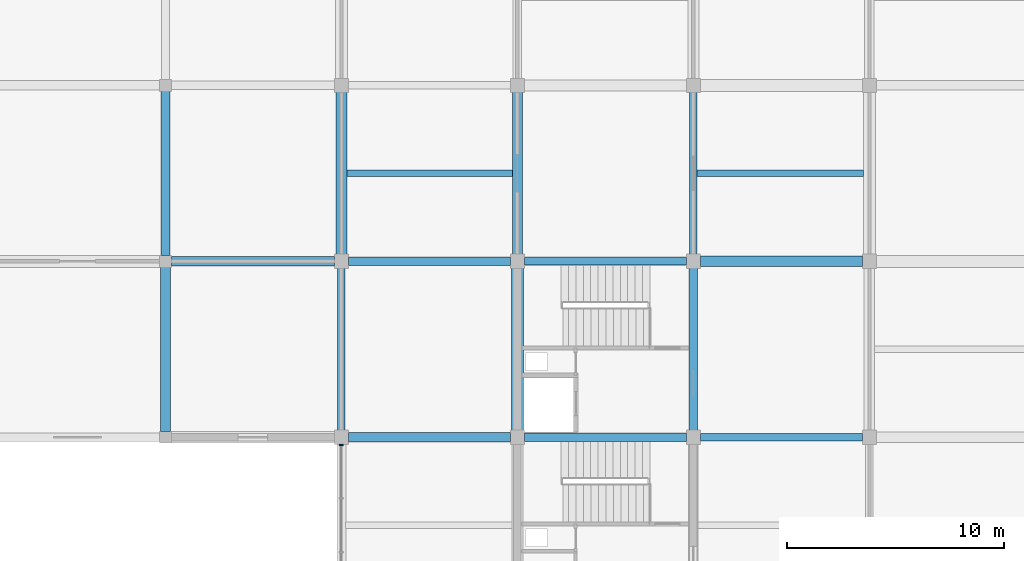
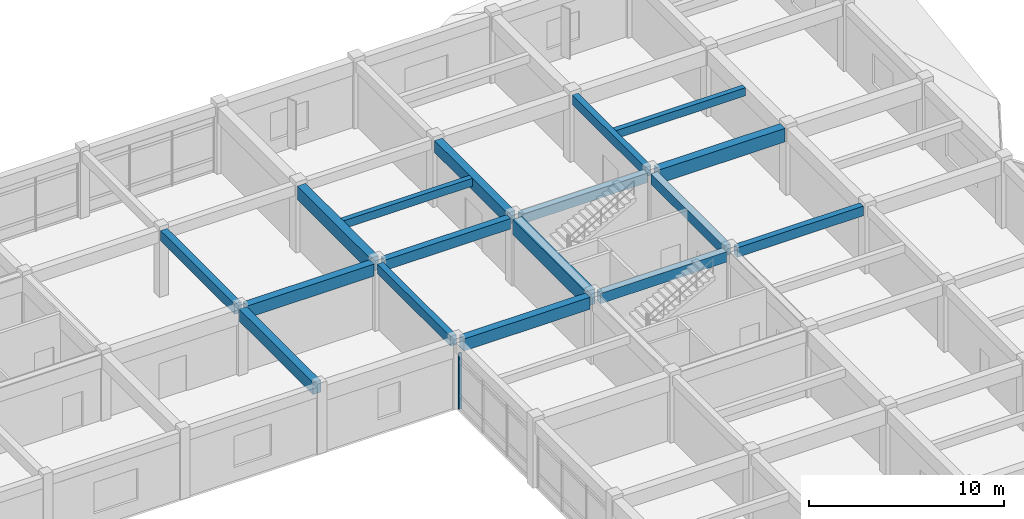
# One storey, part 18 of 40: 17 beams, 1 member, 1 element without a shape of its own.
"""IFC4 building model written with IfcOpenShell, lengths in metres."""

from ifc_helpers import new_model, si_unit, direction, frame, origin, origin_2d, place, context, subcontext, project, spatial, rectangle, extrude, material, layer, layer_set, material_profile, profile_set, type_object, element, aggregate, save


model = new_model("IFC4")

# Units and contexts
model_context = context("Model", 3, precision=1e-05, world=origin(), true_north=direction((0.0, 1.0)))
body_context = subcontext(model_context, "Body", "Model", "MODEL_VIEW")
ifc_project = project(units=[si_unit("LENGTHUNIT", "METRE"), si_unit("AREAUNIT", "SQUARE_METRE"), si_unit("VOLUMEUNIT", "CUBIC_METRE"), si_unit("PLANEANGLEUNIT", "RADIAN"), si_unit("MASSUNIT", "GRAM", prefix="KILO")], contexts=[model_context])

# Site, building, storey
site_placement = place(None, origin())
site = spatial("IfcSite", under=ifc_project, at=site_placement, CompositionType="ELEMENT")
building_placement = place(site_placement, origin())
building = spatial("IfcBuilding", under=site, at=building_placement, Name="Vaudrelin Polytechnic", CompositionType="ELEMENT")
storey_placement = place(building_placement, frame((0.0, 0.0, 22.949951171875)))
storey = spatial("IfcBuildingStorey", under=building, at=storey_placement, Name="L05", CompositionType="ELEMENT", Elevation=22.949951171875)

# Beams
ifc_material_1 = material(Name="Concrete 40 MPa", Category="concrete")
ifc_material_profile_1 = material_profile(ifc_material_1, rectangle(XDim=0.35009765625, YDim=0.60009765625, at=origin_2d()), Name="RC350x600")
ifc_profile_set_1 = profile_set([ifc_material_profile_1], Name="Concrete 40 MPa")
beam_type_1 = type_object("IfcBeamType", Name="BM-BM-RC3560", PredefinedType="BEAM", material=ifc_profile_set_1)
for number, where, z_axis, x_axis, name in (
    (1, (137.699951171875, 97.510009765625, 3.860107421875), (0.0, 1.0, 0.0), (-1.0, 0.0, 0.0), "L05 Y-beam 18-13"),
    (2, (153.89990234375, 105.610107421875, 3.860107421875), (0.0, 1.0, 0.0), (-1.0, 0.0, 0.0), "L05 Y-beam 20-14"),
):
    element("IfcBeam", number, at=place(storey_placement, frame(where, z_axis=z_axis, x_axis=x_axis)), inside=storey, type_object=beam_type_1, Name=name, PredefinedType="BEAM", context=body_context, shape_type="SweptSolid", body=[
        extrude(rectangle(XDim=0.35009765625, YDim=0.60009765625, at=origin_2d()), origin(), (0.0, 0.0, 1.0), 7.47998046875),
    ])
for number, where, z_axis, x_axis, name in (
    (3, (146.12109375, 105.300048828125, 3.860107421875), (1.0, 0.0, 0.0), (0.0, 1.0, 0.0), "L05 X-beam 19-14"),
    (4, (154.220947265625, 97.199951171875, 3.860107421875), (1.0, 0.0, 0.0), (0.0, 1.0, 0.0), "L05 X-beam 20-13"),
):
    element("IfcBeam", number, at=place(storey_placement, frame(where, z_axis=z_axis, x_axis=x_axis)), inside=storey, type_object=beam_type_1, Name=name, PredefinedType="BEAM", context=body_context, shape_type="SweptSolid", body=[
        extrude(rectangle(XDim=0.35009765625, YDim=0.60009765625, at=origin_2d()), origin(), (0.0, 0.0, 1.0), 7.4580078125),
    ])
ifc_material_profile_2 = material_profile(ifc_material_1, rectangle(XDim=0.39990234375, YDim=0.64990234375, at=origin_2d()), Name="RC400x650")
ifc_profile_set_2 = profile_set([ifc_material_profile_2], Name="Concrete 40 MPa")
beam_type_2 = type_object("IfcBeamType", Name="BM-BM-RC4065", PredefinedType="BEAM", material=ifc_profile_set_2)
beam_1_placement = place(storey_placement, frame((129.60009765625, 105.56005859375, 3.8349609375), z_axis=(0.0, 1.0, 0.0), x_axis=(-1.0, 0.0, 0.0)))
element("IfcBeam", 5, at=beam_1_placement, inside=storey, type_object=beam_type_2, Name="L05 Y-beam 17-14", PredefinedType="BEAM", context=body_context, shape_type="SweptSolid", body=[
    extrude(rectangle(XDim=0.39990234375, YDim=0.64990234375, at=origin_2d()), origin(), (0.0, 0.0, 1.0), 7.579833984375),
])
beam_2_placement = place(storey_placement, frame((153.89990234375, 97.510009765625, 3.8349609375), z_axis=(0.0, 1.0, 0.0), x_axis=(-1.0, 0.0, 0.0)))
element("IfcBeam", 6, at=beam_2_placement, inside=storey, type_object=beam_type_2, Name="L05 Y-beam 20-13", PredefinedType="BEAM", context=body_context, shape_type="SweptSolid", body=[
    extrude(rectangle(XDim=0.39990234375, YDim=0.64990234375, at=origin_2d()), origin(), (0.0, 0.0, 1.0), 7.47998046875),
])
for number, where, z_axis, x_axis, name in (
    (7, (138.02099609375, 105.300048828125, 3.8349609375), (1.0, 0.0, 0.0), (0.0, 1.0, 0.0), "L05 X-beam 18-14"),
    (8, (146.12109375, 97.199951171875, 3.8349609375), (1.0, 0.0, 0.0), (0.0, 1.0, 0.0), "L05 X-beam 19-13"),
):
    element("IfcBeam", number, at=place(storey_placement, frame(where, z_axis=z_axis, x_axis=x_axis)), inside=storey, type_object=beam_type_2, Name=name, PredefinedType="BEAM", context=body_context, shape_type="SweptSolid", body=[
        extrude(rectangle(XDim=0.39990234375, YDim=0.64990234375, at=origin_2d()), origin(), (0.0, 0.0, 1.0), 7.4580078125),
    ])
ifc_material_profile_3 = material_profile(ifc_material_1, rectangle(XDim=0.449951171875, YDim=0.75, at=origin_2d()), Name="RC450x750")
ifc_profile_set_3 = profile_set([ifc_material_profile_3], Name="Concrete 40 MPa")
beam_type_3 = type_object("IfcBeamType", Name="BM-BM-RC4575", PredefinedType="BEAM", material=ifc_profile_set_3)
beam_3_placement = place(storey_placement, frame((129.60009765625, 97.4599609375, 3.78515625), z_axis=(0.0, 1.0, 0.0), x_axis=(-1.0, 0.0, 0.0)))
element("IfcBeam", 9, at=beam_3_placement, inside=storey, type_object=beam_type_3, Name="L05 Y-beam 17-13", PredefinedType="BEAM", context=body_context, shape_type="SweptSolid", body=[
    extrude(rectangle(XDim=0.449951171875, YDim=0.75, at=origin_2d()), origin(), (0.0, 0.0, 1.0), 7.580078125),
])
beam_4_placement = place(storey_placement, frame((145.800048828125, 105.610107421875, 3.78515625), z_axis=(0.0, 1.0, 0.0), x_axis=(-1.0, 0.0, 0.0)))
element("IfcBeam", 10, at=beam_4_placement, inside=storey, type_object=beam_type_3, Name="L05 Y-beam 19-14", PredefinedType="BEAM", context=body_context, shape_type="SweptSolid", body=[
    extrude(rectangle(XDim=0.449951171875, YDim=0.75, at=origin_2d()), origin(), (0.0, 0.0, 1.0), 7.47998046875),
])
beam_5_placement = place(storey_placement, frame((129.87109375, 105.300048828125, 3.78515625), z_axis=(1.0, 0.0, 0.0), x_axis=(0.0, 1.0, 0.0)))
element("IfcBeam", 11, at=beam_5_placement, inside=storey, type_object=beam_type_3, Name="L05 X-beam 17-14", PredefinedType="BEAM", context=body_context, shape_type="SweptSolid", body=[
    extrude(rectangle(XDim=0.449951171875, YDim=0.75, at=origin_2d()), origin(), (0.0, 0.0, 1.0), 7.5078125),
])
beam_6_placement = place(storey_placement, frame((138.02099609375, 97.199951171875, 3.78515625), z_axis=(1.0, 0.0, 0.0), x_axis=(0.0, 1.0, 0.0)))
element("IfcBeam", 12, at=beam_6_placement, inside=storey, type_object=beam_type_3, Name="L05 X-beam 18-13", PredefinedType="BEAM", context=body_context, shape_type="SweptSolid", body=[
    extrude(rectangle(XDim=0.449951171875, YDim=0.75, at=origin_2d()), origin(), (0.0, 0.0, 1.0), 7.4580078125),
])
ifc_material_profile_4 = material_profile(ifc_material_1, rectangle(XDim=0.5, YDim=0.85009765625, at=origin_2d()), Name="RC500x850")
ifc_profile_set_4 = profile_set([ifc_material_profile_4], Name="Concrete 40 MPa")
beam_type_4 = type_object("IfcBeamType", Name="BM-BM-RC5085", PredefinedType="BEAM", material=ifc_profile_set_4)
beam_7_placement = place(storey_placement, frame((137.699951171875, 105.610107421875, 3.735107421875), z_axis=(0.0, 1.0, 0.0), x_axis=(-1.0, 0.0, 0.0)))
element("IfcBeam", 13, at=beam_7_placement, inside=storey, type_object=beam_type_4, Name="L05 Y-beam 18-14", PredefinedType="BEAM", context=body_context, shape_type="SweptSolid", body=[
    extrude(rectangle(XDim=0.5, YDim=0.85009765625, at=origin_2d()), origin(), (0.0, 0.0, 1.0), 7.47998046875),
])
beam_8_placement = place(storey_placement, frame((154.220947265625, 105.300048828125, 3.735107421875), z_axis=(1.0, 0.0, 0.0), x_axis=(0.0, 1.0, 0.0)))
element("IfcBeam", 14, at=beam_8_placement, inside=storey, type_object=beam_type_4, Name="L05 X-beam 20-14", PredefinedType="BEAM", context=body_context, shape_type="SweptSolid", body=[
    extrude(rectangle(XDim=0.5, YDim=0.85009765625, at=origin_2d()), origin(), (0.0, 0.0, 1.0), 7.4580078125),
])
ifc_material_2 = material(Name="Concrete 50 MPa", Category="concrete")
ifc_material_profile_5 = material_profile(ifc_material_2, rectangle(XDim=0.550048828125, YDim=0.949951171875, at=origin_2d()), Name="RC550x950")
ifc_profile_set_5 = profile_set([ifc_material_profile_5], Name="Concrete 50 MPa")
beam_type_5 = type_object("IfcBeamType", Name="BM-BM-RC5595", PredefinedType="BEAM", material=ifc_profile_set_5)
beam_9_placement = place(storey_placement, frame((145.800048828125, 97.510009765625, 3.68505859375), z_axis=(0.0, 1.0, 0.0), x_axis=(-1.0, 0.0, 0.0)))
element("IfcBeam", 15, at=beam_9_placement, inside=storey, type_object=beam_type_5, Name="L05 Y-beam 19-13", PredefinedType="BEAM", context=body_context, shape_type="SweptSolid", body=[
    extrude(rectangle(XDim=0.550048828125, YDim=0.949951171875, at=origin_2d()), origin(), (0.0, 0.0, 1.0), 7.47998046875),
])
ifc_material_profile_6 = material_profile(ifc_material_1, rectangle(XDim=0.300048828125, YDim=0.5, at=origin_2d()), Name="RC300x500")
ifc_profile_set_6 = profile_set([ifc_material_profile_6], Name="Concrete 40 MPa")
beam_type_6 = type_object("IfcBeamType", Name="BM-JS-RC3050", PredefinedType="JOIST", material=ifc_profile_set_6)
beam_10_placement = place(storey_placement, frame((137.946044921875, 109.35009765625, 3.91015625), z_axis=(1.0, 0.0, 0.0), x_axis=(0.0, 1.0, 0.0)))
element("IfcBeam", 16, at=beam_10_placement, inside=storey, type_object=beam_type_6, Name="L05 floor joist 18-14", PredefinedType="JOIST", context=body_context, shape_type="SweptSolid", body=[
    extrude(rectangle(XDim=0.300048828125, YDim=0.5, at=origin_2d()), origin(), (0.0, 0.0, 1.0), 7.633056640625),
])
beam_11_placement = place(storey_placement, frame((154.071044921875, 109.35009765625, 3.91015625), z_axis=(1.0, 0.0, 0.0), x_axis=(0.0, 1.0, 0.0)))
element("IfcBeam", 17, at=beam_11_placement, inside=storey, type_object=beam_type_6, Name="L05 floor joist 20-14", PredefinedType="JOIST", context=body_context, shape_type="SweptSolid", body=[
    extrude(rectangle(XDim=0.300048828125, YDim=0.5, at=origin_2d()), origin(), (0.0, 0.0, 1.0), 7.657958984375),
])

# Curtain wall, member
ifc_material_3 = material(Name="Thermally broken anodised aluminium AA 6063-T6 and low-e triple glazing", Category="aluminium")
ifc_layer = layer(ifc_material_3, 0.199951171875)
ifc_layer_set = layer_set([ifc_layer], Name="Thermally broken anodised aluminium AA 6063-T6 and low-e triple glazing")
curtain_wall_type = type_object("IfcCurtainWallType", Name="CW-CW-LAB", PredefinedType="USERDEFINED", material=ifc_layer_set)
curtain_wall_placement = place(storey_placement, origin())
curtain_wall = element("IfcCurtainWall", 18, at=curtain_wall_placement, inside=storey, type_object=curtain_wall_type, Name="Curtain wall L05 W_V4_09", ObjectType="CURTAIN WALL", PredefinedType="USERDEFINED")
ifc_material_4 = material(Name="Anodised aluminium AA 6063-T6", Category="aluminium")
ifc_material_profile_7 = material_profile(ifc_material_4, rectangle(XDim=0.06494140625, YDim=0.179931640625, at=origin_2d()), Name="CWM-65x180")
ifc_profile_set_7 = profile_set([ifc_material_profile_7], Name="Anodised aluminium AA 6063-T6")
member_type = type_object("IfcMemberType", Name="MEM-CWM-180", PredefinedType="MULLION", material=ifc_profile_set_7)
member_placement = place(storey_placement, frame((137.699951171875, 96.8369140625, 0.0), z_axis=(0.0, 0.0, 1.0), x_axis=(0.0, 1.0, 0.0)))
member = element("IfcMember", 19, at=member_placement, type_object=member_type, Name="W_V4_09 mullion 4", PredefinedType="MULLION", context=body_context, shape_type="SweptSolid", body=[
    extrude(rectangle(XDim=0.06494140625, YDim=0.179931640625, at=origin_2d()), origin(), (0.0, 0.0, 1.0), 3.511962890625),
])
aggregate(curtain_wall, [member])

save(model, "model.ifc")
